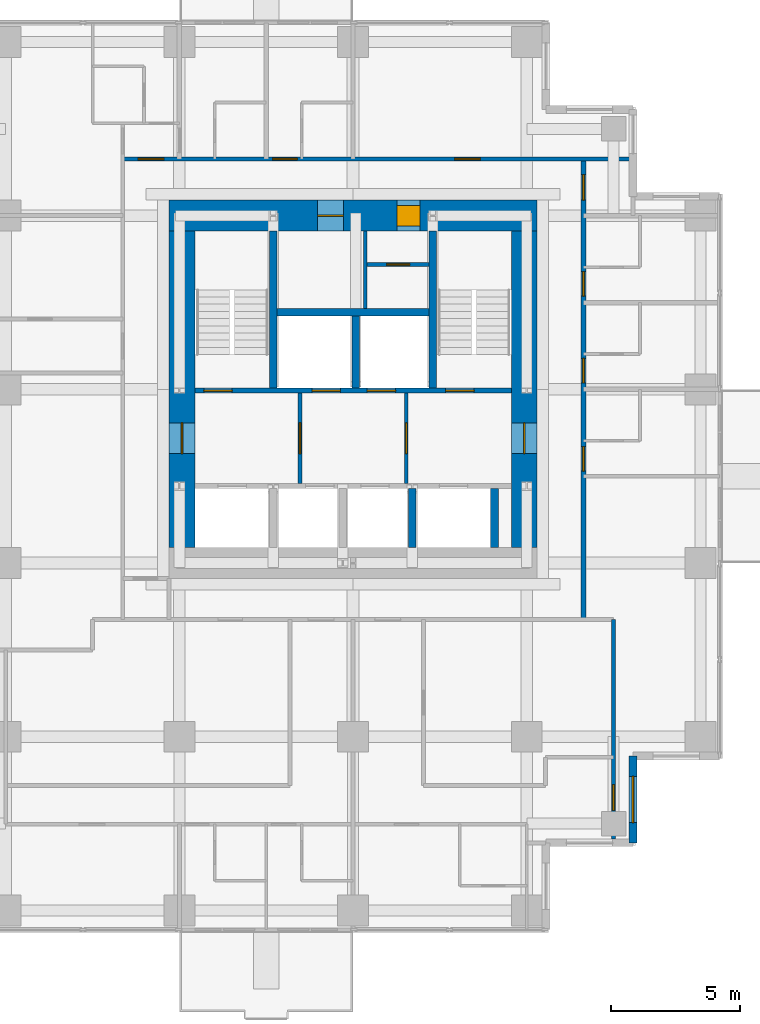
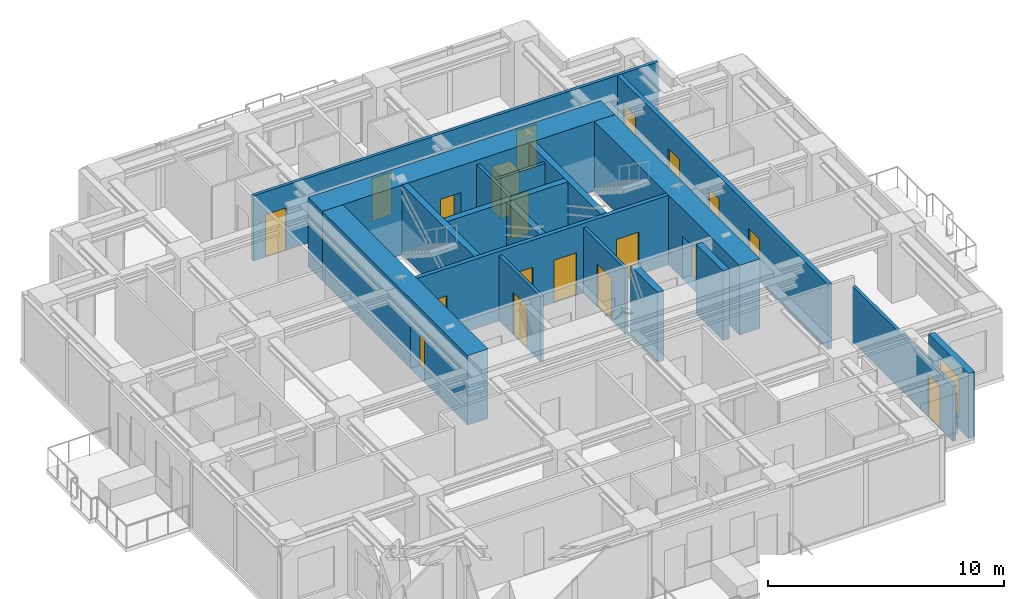
# One storey, part 7 of 10: 19 doors, 18 walls, 1 window, 20 openings.
"""IFC4 building model written with IfcOpenShell, lengths in metres."""

from ifc_helpers import new_model, si_unit, direction, frame, frame_2d, origin, place, context, subcontext, project, spatial, rectangle, extrude, material, layer, layer_set, type_object, element, fill, save


model = new_model("IFC4")

# Units and contexts
model_context = context("Model", 3, precision=1e-05, world=origin(), true_north=direction((0.0, 1.0)))
body_context = subcontext(model_context, "Body", "Model", "MODEL_VIEW")
ifc_project = project(units=[si_unit("LENGTHUNIT", "METRE"), si_unit("AREAUNIT", "SQUARE_METRE"), si_unit("VOLUMEUNIT", "CUBIC_METRE"), si_unit("PLANEANGLEUNIT", "RADIAN"), si_unit("MASSUNIT", "GRAM", prefix="KILO")], contexts=[model_context])

# Site, building, storey
site_placement = place(None, origin())
site = spatial("IfcSite", under=ifc_project, at=site_placement, CompositionType="ELEMENT")
building_placement = place(site_placement, origin())
building = spatial("IfcBuilding", under=site, at=building_placement, Name="Nyansa Garden Tower", CompositionType="ELEMENT")
storey_placement = place(building_placement, frame((0.0, 0.0, 192.60009765625)))
storey = spatial("IfcBuildingStorey", under=building, at=storey_placement, Name="L52", CompositionType="ELEMENT", Elevation=192.60009765625)

# Wall, openings, doors
ifc_material_1 = material(Name="Concrete C70/85", Category="concrete")
ifc_layer_1 = layer(ifc_material_1, 0.199951171875)
ifc_layer_set_1 = layer_set([ifc_layer_1], Name="Core inner wall CI200")
wall_type_1 = type_object("IfcWallType", Name="Core inner wall CI200", PredefinedType="SHEAR", material=ifc_layer_set_1)
wall_1_placement = place(storey_placement, frame((14.10009765625, 20.199951171875, 0.0), z_axis=(0.0, 0.0, 1.0), x_axis=(1.0, 0.0, 0.0)))
wall_1 = element("IfcWall", 1, at=wall_1_placement, inside=storey, type_object=wall_type_1, Name="Core inner wall L52", PredefinedType="SHEAR", context=body_context, shape_type="SweptSolid", body=[
    extrude(rectangle(XDim=12.2998046875, YDim=0.199951171875, at=frame_2d((6.14990234375, 0.0))), origin(), (0.0, 0.0, 1.0), 3.599853515625),
])
opening_1_placement = place(wall_1_placement, frame((4.56005859375, 0.0, 0.0)))
opening_1 = element("IfcOpeningElement", 2, at=opening_1_placement, cuts=wall_1, Name="Opening LD-B", PredefinedType="OPENING", context=body_context, shape_type="SweptSolid", body=[
    extrude(rectangle(XDim=1.10009765625, YDim=2.199951171875, at=frame_2d((0.550048828125, 1.10009765625))), frame((0.0, 0.10986328125, 0.0), z_axis=(0.0, -1.0, 0.0), x_axis=(1.0, 0.0, 0.0)), (0.0, 0.0, 1.0), 0.219970703125),
])
opening_2_placement = place(wall_1_placement, frame((6.699951171875, 0.0, 0.0)))
opening_2 = element("IfcOpeningElement", 3, at=opening_2_placement, cuts=wall_1, Name="Opening LD-B", PredefinedType="OPENING", context=body_context, shape_type="SweptSolid", body=[
    extrude(rectangle(XDim=1.10009765625, YDim=2.199951171875, at=frame_2d((0.550048828125, 1.10009765625))), frame((0.0, 0.10986328125, 0.0), z_axis=(0.0, -1.0, 0.0), x_axis=(1.0, 0.0, 0.0)), (0.0, 0.0, 1.0), 0.219970703125),
])
opening_3_placement = place(wall_1_placement, frame((0.35009765625, 0.0, 0.0)))
opening_3 = element("IfcOpeningElement", 4, at=opening_3_placement, cuts=wall_1, Name="Opening D05", PredefinedType="OPENING", context=body_context, shape_type="SweptSolid", body=[
    extrude(rectangle(XDim=1.10009765625, YDim=2.199951171875, at=frame_2d((0.550048828125, 1.10009765625))), frame((0.0, 0.10986328125, 0.0), z_axis=(0.0, -1.0, 0.0), x_axis=(1.0, 0.0, 0.0)), (0.0, 0.0, 1.0), 0.219970703125),
])
opening_4_placement = place(wall_1_placement, frame((9.75, 0.0, 0.0)))
opening_4 = element("IfcOpeningElement", 5, at=opening_4_placement, cuts=wall_1, Name="Opening D05", PredefinedType="OPENING", context=body_context, shape_type="SweptSolid", body=[
    extrude(rectangle(XDim=1.10009765625, YDim=2.199951171875, at=frame_2d((0.550048828125, 1.10009765625))), frame((0.0, 0.10986328125, 0.0), z_axis=(0.0, -1.0, 0.0), x_axis=(1.0, 0.0, 0.0)), (0.0, 0.0, 1.0), 0.219970703125),
])
ifc_material_2 = material(Name="Stainless steel centre-opening landing door of the high-rise lift, E 120", Category="steel")
door_type_1 = type_object("IfcDoorType", Name="Lift landing door LD-B 1100x2200", OperationType="DOUBLE_DOOR_SLIDING", PredefinedType="DOOR", material=ifc_material_2)
door_1_placement = place(opening_1_placement, origin())
door_1 = element("IfcDoor", 6, at=door_1_placement, inside=storey, type_object=door_type_1, Name="Landing door B3", OperationType="DOUBLE_DOOR_SLIDING", OverallHeight=2.199951171875, OverallWidth=1.10009765625, PredefinedType="DOOR", context=body_context, shape_type="SweptSolid", body=[
    extrude(rectangle(XDim=1.10009765625, YDim=2.199951171875, at=frame_2d((0.550048828125, 1.10009765625))), frame((0.0, 0.02490234375, 0.0), z_axis=(0.0, -1.0, 0.0), x_axis=(1.0, 0.0, 0.0)), (0.0, 0.0, 1.0), 0.050048828125),
])
fill(opening_1, door_1)
door_2_placement = place(opening_2_placement, origin())
door_2 = element("IfcDoor", 7, at=door_2_placement, inside=storey, type_object=door_type_1, Name="Landing door B4", OperationType="DOUBLE_DOOR_SLIDING", OverallHeight=2.199951171875, OverallWidth=1.10009765625, PredefinedType="DOOR", context=body_context, shape_type="SweptSolid", body=[
    extrude(rectangle(XDim=1.10009765625, YDim=2.199951171875, at=frame_2d((0.550048828125, 1.10009765625))), frame((0.0, 0.02490234375, 0.0), z_axis=(0.0, -1.0, 0.0), x_axis=(1.0, 0.0, 0.0)), (0.0, 0.0, 1.0), 0.050048828125),
])
fill(opening_2, door_2)
ifc_material_3 = material(Name="Steel door, 120 minute fire resisting", Category="steel")
door_type_2 = type_object("IfcDoorType", Name="Stair door D05 1100x2200", OperationType="SINGLE_SWING_LEFT", PredefinedType="DOOR", material=ifc_material_3)
door_3_placement = place(opening_3_placement, origin())
door_3 = element("IfcDoor", 8, at=door_3_placement, inside=storey, type_object=door_type_2, Name="Stair S1 door", OperationType="SINGLE_SWING_LEFT", OverallHeight=2.199951171875, OverallWidth=1.10009765625, PredefinedType="DOOR", context=body_context, shape_type="SweptSolid", body=[
    extrude(rectangle(XDim=1.10009765625, YDim=2.199951171875, at=frame_2d((0.550048828125, 1.10009765625))), frame((0.0, 0.02490234375, 0.0), z_axis=(0.0, -1.0, 0.0), x_axis=(1.0, 0.0, 0.0)), (0.0, 0.0, 1.0), 0.050048828125),
])
fill(opening_3, door_3)
door_4_placement = place(opening_4_placement, origin())
door_4 = element("IfcDoor", 9, at=door_4_placement, inside=storey, type_object=door_type_2, Name="Stair S2 door", OperationType="SINGLE_SWING_LEFT", OverallHeight=2.199951171875, OverallWidth=1.10009765625, PredefinedType="DOOR", context=body_context, shape_type="SweptSolid", body=[
    extrude(rectangle(XDim=1.10009765625, YDim=2.199951171875, at=frame_2d((0.550048828125, 1.10009765625))), frame((0.0, 0.02490234375, 0.0), z_axis=(0.0, -1.0, 0.0), x_axis=(1.0, 0.0, 0.0)), (0.0, 0.0, 1.0), 0.050048828125),
])
fill(opening_4, door_4)

# Walls
ifc_material_4 = material(Name="Concrete C70/85", Category="concrete")
ifc_layer_2 = layer(ifc_material_4, 0.300048828125)
ifc_layer_set_2 = layer_set([ifc_layer_2], Name="Core inner wall CI300")
wall_type_2 = type_object("IfcWallType", Name="Core inner wall CI300", PredefinedType="SHEAR", material=ifc_layer_set_2)
for number, where, z_axis, x_axis, name in (
    (10, (17.14990234375, 20.300048828125, 0.0), (0.0, 0.0, 1.0), (0.0, 1.0, 0.0), "Core inner wall L52"),
    (11, (23.35009765625, 20.300048828125, 0.0), (0.0, 0.0, 1.0), (0.0, 1.0, 0.0), "Core inner wall L52"),
):
    element("IfcWall", number, at=place(storey_placement, frame(where, z_axis=z_axis, x_axis=x_axis)), inside=storey, type_object=wall_type_2, Name=name, PredefinedType="SHEAR", context=body_context, shape_type="SweptSolid", body=[
        extrude(rectangle(XDim=6.099853515625, YDim=0.300048828125, at=frame_2d((3.0498046875, 0.0))), origin(), (0.0, 0.0, 1.0), 3.599853515625),
    ])
wall_2_placement = place(storey_placement, frame((20.35009765625, 20.300048828125, 0.0), z_axis=(0.0, 0.0, 1.0), x_axis=(0.0, 1.0, 0.0)))
element("IfcWall", 12, at=wall_2_placement, inside=storey, type_object=wall_type_2, Name="Core inner wall L52", PredefinedType="SHEAR", context=body_context, shape_type="SweptSolid", body=[
    extrude(rectangle(XDim=2.800048828125, YDim=0.300048828125, at=frame_2d((1.39990234375, 0.0))), origin(), (0.0, 0.0, 1.0), 3.599853515625),
])
wall_3_placement = place(storey_placement, frame((17.300048828125, 23.25, 0.0), z_axis=(0.0, 0.0, 1.0), x_axis=(1.0, 0.0, 0.0)))
element("IfcWall", 13, at=wall_3_placement, inside=storey, type_object=wall_type_2, Name="Core inner wall L52", PredefinedType="SHEAR", context=body_context, shape_type="SweptSolid", body=[
    extrude(rectangle(XDim=5.89990234375, YDim=0.300048828125, at=frame_2d((2.949951171875, 0.0))), origin(), (0.0, 0.0, 1.0), 3.599853515625),
])
for number, where, z_axis, x_axis, name in (
    (14, (22.550048828125, 14.10009765625, 0.0), (0.0, 0.0, 1.0), (0.0, 1.0, 0.0), "Core inner wall L52"),
    (15, (25.75, 14.10009765625, 0.0), (0.0, 0.0, 1.0), (0.0, 1.0, 0.0), "Core inner wall L52"),
):
    element("IfcWall", number, at=place(storey_placement, frame(where, z_axis=z_axis, x_axis=x_axis)), inside=storey, type_object=wall_type_2, Name=name, PredefinedType="SHEAR", context=body_context, shape_type="SweptSolid", body=[
        extrude(rectangle(XDim=2.2998046875, YDim=0.300048828125, at=frame_2d((1.14990234375, 0.0))), origin(), (0.0, 0.0, 1.0), 3.599853515625),
    ])

# Wall, opening, door
ifc_material_5 = material(Name="Concrete C80/95", Category="concrete")
ifc_layer_3 = layer(ifc_material_5, 1.0)
ifc_layer_set_3 = layer_set([ifc_layer_3], Name="Core wall CW1000")
wall_type_3 = type_object("IfcWallType", Name="Core wall CW1000", PredefinedType="SHEAR", material=ifc_layer_set_3)
wall_4_placement = place(storey_placement, frame((26.89990234375, 14.10009765625, 0.0), z_axis=(0.0, 0.0, 1.0), x_axis=(0.0, 1.0, 0.0)))
wall_4 = element("IfcWall", 16, at=wall_4_placement, inside=storey, type_object=wall_type_3, Name="Core wall E L52", PredefinedType="SHEAR", context=body_context, shape_type="SweptSolid", body=[
    extrude(rectangle(XDim=12.2998046875, YDim=1.0, at=frame_2d((6.14990234375, 0.0))), origin(), (0.0, 0.0, 1.0), 3.599853515625),
])
opening_5_placement = place(wall_4_placement, frame((3.64990234375, 0.0, 0.0)))
opening_5 = element("IfcOpeningElement", 17, at=opening_5_placement, cuts=wall_4, Name="Opening D06", PredefinedType="OPENING", context=body_context, shape_type="SweptSolid", body=[
    extrude(rectangle(XDim=1.199951171875, YDim=2.199951171875, at=frame_2d((0.60009765625, 1.10009765625))), frame((0.0, 0.510009765625, 0.0), z_axis=(0.0, -1.0, 0.0), x_axis=(1.0, 0.0, 0.0)), (0.0, 0.0, 1.0), 1.02001953125),
])
ifc_material_6 = material(Name="Steel door, 120 minute fire resisting", Category="steel")
door_type_3 = type_object("IfcDoorType", Name="Lobby door D06 1200x2200", OperationType="DOUBLE_DOOR_SINGLE_SWING", PredefinedType="DOOR", material=ifc_material_6)
door_5_placement = place(opening_5_placement, origin())
door_5 = element("IfcDoor", 18, at=door_5_placement, inside=storey, type_object=door_type_3, Name="Lift lobby door east", OperationType="DOUBLE_DOOR_SINGLE_SWING", OverallHeight=2.199951171875, OverallWidth=1.199951171875, PredefinedType="DOOR", context=body_context, shape_type="SweptSolid", body=[
    extrude(rectangle(XDim=1.199951171875, YDim=2.199951171875, at=frame_2d((0.60009765625, 1.10009765625))), frame((0.0, 0.02490234375, 0.0), z_axis=(0.0, -1.0, 0.0), x_axis=(1.0, 0.0, 0.0)), (0.0, 0.0, 1.0), 0.050048828125),
])
fill(opening_5, door_5)

wall_5_placement = place(storey_placement, frame((13.60009765625, 26.39990234375, 0.0), z_axis=(0.0, 0.0, 1.0), x_axis=(0.0, -1.0, 0.0)))
wall_5 = element("IfcWall", 19, at=wall_5_placement, inside=storey, type_object=wall_type_3, Name="Core wall W L52", PredefinedType="SHEAR", context=body_context, shape_type="SweptSolid", body=[
    extrude(rectangle(XDim=12.2998046875, YDim=1.0, at=frame_2d((6.14990234375, 0.0))), origin(), (0.0, 0.0, 1.0), 3.599853515625),
])
opening_6_placement = place(wall_5_placement, frame((7.449951171875, 0.0, 0.0)))
opening_6 = element("IfcOpeningElement", 20, at=opening_6_placement, cuts=wall_5, Name="Opening D06", PredefinedType="OPENING", context=body_context, shape_type="SweptSolid", body=[
    extrude(rectangle(XDim=1.199951171875, YDim=2.199951171875, at=frame_2d((0.60009765625, 1.10009765625))), frame((0.0, 0.510009765625, 0.0), z_axis=(0.0, -1.0, 0.0), x_axis=(1.0, 0.0, 0.0)), (0.0, 0.0, 1.0), 1.02001953125),
])
door_6_placement = place(opening_6_placement, origin())
door_6 = element("IfcDoor", 21, at=door_6_placement, inside=storey, type_object=door_type_3, Name="Lift lobby door west", OperationType="DOUBLE_DOOR_SINGLE_SWING", OverallHeight=2.199951171875, OverallWidth=1.199951171875, PredefinedType="DOOR", context=body_context, shape_type="SweptSolid", body=[
    extrude(rectangle(XDim=1.199951171875, YDim=2.199951171875, at=frame_2d((0.60009765625, 1.10009765625))), frame((0.0, 0.02490234375, 0.0), z_axis=(0.0, -1.0, 0.0), x_axis=(1.0, 0.0, 0.0)), (0.0, 0.0, 1.0), 0.050048828125),
])
fill(opening_6, door_6)

# Wall, openings, doors
ifc_material_7 = material(Name="Concrete C80/95", Category="concrete")
ifc_layer_4 = layer(ifc_material_7, 1.199951171875)
ifc_layer_set_4 = layer_set([ifc_layer_4], Name="Core wall CW1200")
wall_type_4 = type_object("IfcWallType", Name="Core wall CW1200", PredefinedType="SHEAR", material=ifc_layer_set_4)
wall_6_placement = place(storey_placement, frame((27.39990234375, 27.0, 0.0), z_axis=(0.0, 0.0, 1.0), x_axis=(-1.0, 0.0, 0.0)))
wall_6 = element("IfcWall", 22, at=wall_6_placement, inside=storey, type_object=wall_type_4, Name="Core wall N L52", PredefinedType="SHEAR", context=body_context, shape_type="SweptSolid", body=[
    extrude(rectangle(XDim=14.2998046875, YDim=1.199951171875, at=frame_2d((7.14990234375, 0.0))), origin(), (0.0, 0.0, 1.0), 3.599853515625),
])
opening_7_placement = place(wall_6_placement, frame((4.550048828125, 0.0, 0.0)))
opening_7 = element("IfcOpeningElement", 23, at=opening_7_placement, cuts=wall_6, Name="Opening D15", PredefinedType="OPENING", context=body_context, shape_type="SweptSolid", body=[
    extrude(rectangle(XDim=0.89990234375, YDim=2.199951171875, at=frame_2d((0.449951171875, 1.10009765625))), frame((0.0, 0.60986328125, 0.0), z_axis=(0.0, -1.0, 0.0), x_axis=(1.0, 0.0, 0.0)), (0.0, 0.0, 1.0), 1.219970703125),
])
opening_8_placement = place(wall_6_placement, frame((7.52490234375, 0.0, 0.0)))
opening_8 = element("IfcOpeningElement", 24, at=opening_8_placement, cuts=wall_6, Name="Opening D07", PredefinedType="OPENING", context=body_context, shape_type="SweptSolid", body=[
    extrude(rectangle(XDim=1.0, YDim=2.199951171875, at=frame_2d((0.5, 1.10009765625))), frame((0.0, 0.60986328125, 0.0), z_axis=(0.0, -1.0, 0.0), x_axis=(1.0, 0.0, 0.0)), (0.0, 0.0, 1.0), 1.219970703125),
])
ifc_material_8 = material(Name="Timber flush door, 60 minute fire resisting, self-closing", Category="wood")
door_type_4 = type_object("IfcDoorType", Name="Core room door D15 900x2200", OperationType="SINGLE_SWING_LEFT", PredefinedType="DOOR", material=ifc_material_8)
door_7_placement = place(opening_7_placement, origin())
door_7 = element("IfcDoor", 25, at=door_7_placement, inside=storey, type_object=door_type_4, Name="Core room door", OperationType="SINGLE_SWING_LEFT", OverallHeight=2.199951171875, OverallWidth=0.89990234375, PredefinedType="DOOR", context=body_context, shape_type="SweptSolid", body=[
    extrude(rectangle(XDim=0.89990234375, YDim=2.199951171875, at=frame_2d((0.449951171875, 1.10009765625))), frame((0.0, 0.39990234375, 0.0), z_axis=(0.0, -1.0, 0.0), x_axis=(1.0, 0.0, 0.0)), (0.0, 0.0, 1.0), 0.800048828125),
])
fill(opening_7, door_7)
ifc_material_9 = material(Name="Steel door, 120 minute fire resisting", Category="steel")
door_type_5 = type_object("IfcDoorType", Name="Riser door D07 1000x2200", OperationType="SINGLE_SWING_LEFT", PredefinedType="DOOR", material=ifc_material_9)
door_8_placement = place(opening_8_placement, origin())
door_8 = element("IfcDoor", 26, at=door_8_placement, inside=storey, type_object=door_type_5, Name="Riser and refuse room door", OperationType="SINGLE_SWING_LEFT", OverallHeight=2.199951171875, OverallWidth=1.0, PredefinedType="DOOR", context=body_context, shape_type="SweptSolid", body=[
    extrude(rectangle(XDim=1.0, YDim=2.199951171875, at=frame_2d((0.5, 1.10009765625))), frame((0.0, 0.02490234375, 0.0), z_axis=(0.0, -1.0, 0.0), x_axis=(1.0, 0.0, 0.0)), (0.0, 0.0, 1.0), 0.050048828125),
])
fill(opening_8, door_8)

ifc_material_10 = material(Name="Concrete blockwork, plastered, 60 minute fire resisting", Category="masonry")
ifc_layer_5 = layer(ifc_material_10, 0.199951171875)
ifc_layer_set_5 = layer_set([ifc_layer_5], Name="Corridor wall FW200")
wall_type_5 = type_object("IfcWallType", Name="Corridor wall FW200", PredefinedType="PARTITIONING", material=ifc_layer_set_5)
wall_7_placement = place(storey_placement, frame((29.199951171875, 11.300048828125, 0.0), z_axis=(0.0, 0.0, 1.0), x_axis=(0.0, 1.0, 0.0)))
wall_7 = element("IfcWall", 27, at=wall_7_placement, inside=storey, type_object=wall_type_5, Name="Corridor wall", PredefinedType="PARTITIONING", context=body_context, shape_type="SweptSolid", body=[
    extrude(rectangle(XDim=17.89990234375, YDim=0.199951171875, at=frame_2d((8.949951171875, 0.0))), origin(), (0.0, 0.0, 1.0), 3.375),
])
opening_9_placement = place(wall_7_placement, frame((5.77490234375, 0.0, 0.0)))
opening_9 = element("IfcOpeningElement", 28, at=opening_9_placement, cuts=wall_7, Name="Opening D14", PredefinedType="OPENING", context=body_context, shape_type="SweptSolid", body=[
    extrude(rectangle(XDim=0.949951171875, YDim=2.199951171875, at=frame_2d((0.47509765625, 1.10009765625))), frame((0.0, 0.10986328125, 0.0), z_axis=(0.0, -1.0, 0.0), x_axis=(1.0, 0.0, 0.0)), (0.0, 0.0, 1.0), 0.219970703125),
])
opening_10_placement = place(wall_7_placement, frame((9.199951171875, 0.0, 0.0)))
opening_10 = element("IfcOpeningElement", 29, at=opening_10_placement, cuts=wall_7, Name="Opening D14", PredefinedType="OPENING", context=body_context, shape_type="SweptSolid", body=[
    extrude(rectangle(XDim=0.949951171875, YDim=2.199951171875, at=frame_2d((0.47509765625, 1.10009765625))), frame((0.0, 0.10986328125, 0.0), z_axis=(0.0, -1.0, 0.0), x_axis=(1.0, 0.0, 0.0)), (0.0, 0.0, 1.0), 0.219970703125),
])
opening_11_placement = place(wall_7_placement, frame((12.574951171875, 0.0, 0.0)))
opening_11 = element("IfcOpeningElement", 30, at=opening_11_placement, cuts=wall_7, Name="Opening D14", PredefinedType="OPENING", context=body_context, shape_type="SweptSolid", body=[
    extrude(rectangle(XDim=0.949951171875, YDim=2.199951171875, at=frame_2d((0.47509765625, 1.10009765625))), frame((0.0, 0.10986328125, 0.0), z_axis=(0.0, -1.0, 0.0), x_axis=(1.0, 0.0, 0.0)), (0.0, 0.0, 1.0), 0.219970703125),
])
opening_12_placement = place(wall_7_placement, frame((16.300048828125, 0.0, 0.0)))
opening_12 = element("IfcOpeningElement", 31, at=opening_12_placement, cuts=wall_7, Name="Opening D03", PredefinedType="OPENING", context=body_context, shape_type="SweptSolid", body=[
    extrude(rectangle(XDim=1.0, YDim=2.199951171875, at=frame_2d((0.5, 1.10009765625))), frame((0.0, 0.10986328125, 0.0), z_axis=(0.0, -1.0, 0.0), x_axis=(1.0, 0.0, 0.0)), (0.0, 0.0, 1.0), 0.219970703125),
])
ifc_material_11 = material(Name="Timber flush door, 60 minute fire resisting", Category="wood")
door_type_6 = type_object("IfcDoorType", Name="Cluster entrance door D03 1000x2200", OperationType="SINGLE_SWING_LEFT", PredefinedType="DOOR", material=ifc_material_11)
door_9_placement = place(opening_12_placement, origin())
door_9 = element("IfcDoor", 32, at=door_9_placement, inside=storey, type_object=door_type_6, Name="Door L52-036", OperationType="SINGLE_SWING_LEFT", OverallHeight=2.199951171875, OverallWidth=1.0, PredefinedType="DOOR", context=body_context, shape_type="SweptSolid", body=[
    extrude(rectangle(XDim=1.0, YDim=2.199951171875, at=frame_2d((0.5, 1.10009765625))), frame((0.0, 0.02490234375, 0.0), z_axis=(0.0, -1.0, 0.0), x_axis=(1.0, 0.0, 0.0)), (0.0, 0.0, 1.0), 0.050048828125),
])
fill(opening_12, door_9)
ifc_material_12 = material(Name="Timber flush door, 60 minute fire resisting, self-closing", Category="wood")
door_type_7 = type_object("IfcDoorType", Name="Studio entrance door D14 950x2200", OperationType="SINGLE_SWING_LEFT", PredefinedType="DOOR", material=ifc_material_12)
door_10_placement = place(opening_9_placement, origin())
door_10 = element("IfcDoor", 33, at=door_10_placement, inside=storey, type_object=door_type_7, Name="Door L52-030", OperationType="SINGLE_SWING_LEFT", OverallHeight=2.199951171875, OverallWidth=0.949951171875, PredefinedType="DOOR", context=body_context, shape_type="SweptSolid", body=[
    extrude(rectangle(XDim=0.949951171875, YDim=2.199951171875, at=frame_2d((0.47509765625, 1.10009765625))), frame((0.0, 0.02490234375, 0.0), z_axis=(0.0, -1.0, 0.0), x_axis=(1.0, 0.0, 0.0)), (0.0, 0.0, 1.0), 0.050048828125),
])
fill(opening_9, door_10)
door_11_placement = place(opening_10_placement, origin())
door_11 = element("IfcDoor", 34, at=door_11_placement, inside=storey, type_object=door_type_7, Name="Door L52-032", OperationType="SINGLE_SWING_LEFT", OverallHeight=2.199951171875, OverallWidth=0.949951171875, PredefinedType="DOOR", context=body_context, shape_type="SweptSolid", body=[
    extrude(rectangle(XDim=0.949951171875, YDim=2.199951171875, at=frame_2d((0.47509765625, 1.10009765625))), frame((0.0, 0.02490234375, 0.0), z_axis=(0.0, -1.0, 0.0), x_axis=(1.0, 0.0, 0.0)), (0.0, 0.0, 1.0), 0.050048828125),
])
fill(opening_10, door_11)
door_12_placement = place(opening_11_placement, origin())
door_12 = element("IfcDoor", 35, at=door_12_placement, inside=storey, type_object=door_type_7, Name="Door L52-034", OperationType="SINGLE_SWING_LEFT", OverallHeight=2.199951171875, OverallWidth=0.949951171875, PredefinedType="DOOR", context=body_context, shape_type="SweptSolid", body=[
    extrude(rectangle(XDim=0.949951171875, YDim=2.199951171875, at=frame_2d((0.47509765625, 1.10009765625))), frame((0.0, 0.02490234375, 0.0), z_axis=(0.0, -1.0, 0.0), x_axis=(1.0, 0.0, 0.0)), (0.0, 0.0, 1.0), 0.050048828125),
])
fill(opening_11, door_12)

# Wall, opening, door
ifc_material_13 = material(Name="Blockwork, plastered both sides", Category="masonry")
ifc_layer_6 = layer(ifc_material_13, 0.14990234375)
ifc_layer_set_6 = layer_set([ifc_layer_6], Name="Partition PW150")
wall_type_6 = type_object("IfcWallType", Name="Partition PW150", PredefinedType="PARTITIONING", material=ifc_layer_set_6)
wall_8_placement = place(storey_placement, frame((18.18505859375, 16.60009765625, 0.0), z_axis=(0.0, 0.0, 1.0), x_axis=(0.0, 1.0, 0.0)))
wall_8 = element("IfcWall", 36, at=wall_8_placement, inside=storey, type_object=wall_type_6, Name="Partition", PredefinedType="PARTITIONING", context=body_context, shape_type="SweptSolid", body=[
    extrude(rectangle(XDim=3.5, YDim=0.14990234375, at=frame_2d((1.75, 0.0))), origin(), (0.0, 0.0, 1.0), 3.375),
])
opening_13_placement = place(wall_8_placement, frame((1.14990234375, 0.0, 0.0)))
opening_13 = element("IfcOpeningElement", 37, at=opening_13_placement, cuts=wall_8, Name="Opening D06", PredefinedType="OPENING", context=body_context, shape_type="SweptSolid", body=[
    extrude(rectangle(XDim=1.199951171875, YDim=2.199951171875, at=frame_2d((0.60009765625, 1.10009765625))), frame((0.0, 0.0849609375, 0.0), z_axis=(0.0, -1.0, 0.0), x_axis=(1.0, 0.0, 0.0)), (0.0, 0.0, 1.0), 0.169921875),
])
door_13_placement = place(opening_13_placement, origin())
door_13 = element("IfcDoor", 38, at=door_13_placement, inside=storey, type_object=door_type_3, Name="Passenger lift lobby door", OperationType="DOUBLE_DOOR_SINGLE_SWING", OverallHeight=2.199951171875, OverallWidth=1.199951171875, PredefinedType="DOOR", context=body_context, shape_type="SweptSolid", body=[
    extrude(rectangle(XDim=1.199951171875, YDim=2.199951171875, at=frame_2d((0.60009765625, 1.10009765625))), frame((0.0, 0.02490234375, 0.0), z_axis=(0.0, -1.0, 0.0), x_axis=(1.0, 0.0, 0.0)), (0.0, 0.0, 1.0), 0.050048828125),
])
fill(opening_13, door_13)

wall_9_placement = place(storey_placement, frame((22.31494140625, 16.60009765625, 0.0), z_axis=(0.0, 0.0, 1.0), x_axis=(0.0, 1.0, 0.0)))
wall_9 = element("IfcWall", 39, at=wall_9_placement, inside=storey, type_object=wall_type_6, Name="Partition", PredefinedType="PARTITIONING", context=body_context, shape_type="SweptSolid", body=[
    extrude(rectangle(XDim=3.5, YDim=0.14990234375, at=frame_2d((1.75, 0.0))), origin(), (0.0, 0.0, 1.0), 3.375),
])
opening_14_placement = place(wall_9_placement, frame((1.14990234375, 0.0, 0.0)))
opening_14 = element("IfcOpeningElement", 40, at=opening_14_placement, cuts=wall_9, Name="Opening D06", PredefinedType="OPENING", context=body_context, shape_type="SweptSolid", body=[
    extrude(rectangle(XDim=1.199951171875, YDim=2.199951171875, at=frame_2d((0.60009765625, 1.10009765625))), frame((0.0, 0.0849609375, 0.0), z_axis=(0.0, -1.0, 0.0), x_axis=(1.0, 0.0, 0.0)), (0.0, 0.0, 1.0), 0.169921875),
])
door_14_placement = place(opening_14_placement, origin())
door_14 = element("IfcDoor", 41, at=door_14_placement, inside=storey, type_object=door_type_3, Name="Passenger lift lobby door", OperationType="DOUBLE_DOOR_SINGLE_SWING", OverallHeight=2.199951171875, OverallWidth=1.199951171875, PredefinedType="DOOR", context=body_context, shape_type="SweptSolid", body=[
    extrude(rectangle(XDim=1.199951171875, YDim=2.199951171875, at=frame_2d((0.60009765625, 1.10009765625))), frame((0.0, 0.02490234375, 0.0), z_axis=(0.0, -1.0, 0.0), x_axis=(1.0, 0.0, 0.0)), (0.0, 0.0, 1.0), 0.050048828125),
])
fill(opening_14, door_14)

# Wall
wall_10_placement = place(storey_placement, frame((20.72509765625, 23.39990234375, 0.0), z_axis=(0.0, 0.0, 1.0), x_axis=(0.0, 1.0, 0.0)))
element("IfcWall", 42, at=wall_10_placement, inside=storey, type_object=wall_type_6, Name="Partition", PredefinedType="PARTITIONING", context=body_context, shape_type="SweptSolid", body=[
    extrude(rectangle(XDim=3.0, YDim=0.14990234375, at=frame_2d((1.5, 0.0))), origin(), (0.0, 0.0, 1.0), 3.375),
])

# Wall, opening, door
wall_11_placement = place(storey_placement, frame((20.800048828125, 25.10009765625, 0.0), z_axis=(0.0, 0.0, 1.0), x_axis=(1.0, 0.0, 0.0)))
wall_11 = element("IfcWall", 43, at=wall_11_placement, inside=storey, type_object=wall_type_6, Name="Partition", PredefinedType="PARTITIONING", context=body_context, shape_type="SweptSolid", body=[
    extrude(rectangle(XDim=2.39990234375, YDim=0.14990234375, at=frame_2d((1.199951171875, 0.0))), origin(), (0.0, 0.0, 1.0), 3.375),
])
opening_15_placement = place(wall_11_placement, frame((0.75, 0.0, 0.0)))
opening_15 = element("IfcOpeningElement", 44, at=opening_15_placement, cuts=wall_11, Name="Opening D02", PredefinedType="OPENING", context=body_context, shape_type="SweptSolid", body=[
    extrude(rectangle(XDim=0.89990234375, YDim=2.199951171875, at=frame_2d((0.449951171875, 1.10009765625))), frame((0.0, 0.0849609375, 0.0), z_axis=(0.0, -1.0, 0.0), x_axis=(1.0, 0.0, 0.0)), (0.0, 0.0, 1.0), 0.169921875),
])
ifc_material_14 = material(Name="Timber flush door", Category="wood")
door_type_8 = type_object("IfcDoorType", Name="En-suite door D02 900x2200", OperationType="SINGLE_SWING_RIGHT", PredefinedType="DOOR", material=ifc_material_14)
door_15_placement = place(opening_15_placement, origin())
door_15 = element("IfcDoor", 45, at=door_15_placement, inside=storey, type_object=door_type_8, Name="Staff WC door", OperationType="SINGLE_SWING_RIGHT", OverallHeight=2.199951171875, OverallWidth=0.89990234375, PredefinedType="DOOR", context=body_context, shape_type="SweptSolid", body=[
    extrude(rectangle(XDim=0.89990234375, YDim=2.199951171875, at=frame_2d((0.449951171875, 1.10009765625))), frame((0.0, 0.02490234375, 0.0), z_axis=(0.0, -1.0, 0.0), x_axis=(1.0, 0.0, 0.0)), (0.0, 0.0, 1.0), 0.050048828125),
])
fill(opening_15, door_15)

# Wall, openings, doors
wall_12_placement = place(storey_placement, frame((11.300048828125, 29.199951171875, 0.0), z_axis=(0.0, 0.0, 1.0), x_axis=(1.0, 0.0, 0.0)))
wall_12 = element("IfcWall", 46, at=wall_12_placement, inside=storey, type_object=wall_type_6, Name="Partition", PredefinedType="PARTITIONING", context=body_context, shape_type="SweptSolid", body=[
    extrude(rectangle(XDim=19.808837890625, YDim=0.14990234375, at=frame_2d((9.904296875, 0.0))), origin(), (0.0, 0.0, 1.0), 3.375),
])
opening_16_placement = place(wall_12_placement, frame((12.89990234375, 0.0, 0.0)))
opening_16 = element("IfcOpeningElement", 47, at=opening_16_placement, cuts=wall_12, Name="Opening D03", PredefinedType="OPENING", context=body_context, shape_type="SweptSolid", body=[
    extrude(rectangle(XDim=1.0, YDim=2.199951171875, at=frame_2d((0.5, 1.10009765625))), frame((0.0, 0.0849609375, 0.0), z_axis=(0.0, -1.0, 0.0), x_axis=(1.0, 0.0, 0.0)), (0.0, 0.0, 1.0), 0.169921875),
])
opening_17_placement = place(wall_12_placement, frame((5.824951171875, 0.0, 0.0)))
opening_17 = element("IfcOpeningElement", 48, at=opening_17_placement, cuts=wall_12, Name="Opening D14", PredefinedType="OPENING", context=body_context, shape_type="SweptSolid", body=[
    extrude(rectangle(XDim=0.949951171875, YDim=2.199951171875, at=frame_2d((0.47509765625, 1.10009765625))), frame((0.0, 0.0849609375, 0.0), z_axis=(0.0, -1.0, 0.0), x_axis=(1.0, 0.0, 0.0)), (0.0, 0.0, 1.0), 0.169921875),
])
opening_18_placement = place(wall_12_placement, frame((0.60009765625, 0.0, 0.0)))
opening_18 = element("IfcOpeningElement", 49, at=opening_18_placement, cuts=wall_12, Name="Opening D03", PredefinedType="OPENING", context=body_context, shape_type="SweptSolid", body=[
    extrude(rectangle(XDim=1.0, YDim=2.199951171875, at=frame_2d((0.5, 1.10009765625))), frame((0.0, 0.0849609375, 0.0), z_axis=(0.0, -1.0, 0.0), x_axis=(1.0, 0.0, 0.0)), (0.0, 0.0, 1.0), 0.169921875),
])
door_16_placement = place(opening_16_placement, origin())
door_16 = element("IfcDoor", 50, at=door_16_placement, inside=storey, type_object=door_type_6, Name="Door L52-037", OperationType="SINGLE_SWING_LEFT", OverallHeight=2.199951171875, OverallWidth=1.0, PredefinedType="DOOR", context=body_context, shape_type="SweptSolid", body=[
    extrude(rectangle(XDim=1.0, YDim=2.199951171875, at=frame_2d((0.5, 1.10009765625))), frame((0.0, 0.02490234375, 0.0), z_axis=(0.0, -1.0, 0.0), x_axis=(1.0, 0.0, 0.0)), (0.0, 0.0, 1.0), 0.050048828125),
])
fill(opening_16, door_16)
door_17_placement = place(opening_18_placement, origin())
door_17 = element("IfcDoor", 51, at=door_17_placement, inside=storey, type_object=door_type_6, Name="Door L52-044", OperationType="SINGLE_SWING_LEFT", OverallHeight=2.199951171875, OverallWidth=1.0, PredefinedType="DOOR", context=body_context, shape_type="SweptSolid", body=[
    extrude(rectangle(XDim=1.0, YDim=2.199951171875, at=frame_2d((0.5, 1.10009765625))), frame((0.0, 0.02490234375, 0.0), z_axis=(0.0, -1.0, 0.0), x_axis=(1.0, 0.0, 0.0)), (0.0, 0.0, 1.0), 0.050048828125),
])
fill(opening_18, door_17)
door_18_placement = place(opening_17_placement, origin())
door_18 = element("IfcDoor", 52, at=door_18_placement, inside=storey, type_object=door_type_7, Name="Door L52-042", OperationType="SINGLE_SWING_LEFT", OverallHeight=2.199951171875, OverallWidth=0.949951171875, PredefinedType="DOOR", context=body_context, shape_type="SweptSolid", body=[
    extrude(rectangle(XDim=0.949951171875, YDim=2.199951171875, at=frame_2d((0.47509765625, 1.10009765625))), frame((0.0, 0.02490234375, 0.0), z_axis=(0.0, -1.0, 0.0), x_axis=(1.0, 0.0, 0.0)), (0.0, 0.0, 1.0), 0.050048828125),
])
fill(opening_17, door_18)

# Wall, opening, door
wall_13_placement = place(storey_placement, frame((30.375, 2.77490234375, 0.0), z_axis=(0.0, 0.0, 1.0), x_axis=(0.0, 1.0, 0.0)))
wall_13 = element("IfcWall", 53, at=wall_13_placement, inside=storey, type_object=wall_type_6, Name="Partition", PredefinedType="PARTITIONING", context=body_context, shape_type="SweptSolid", body=[
    extrude(rectangle(XDim=8.525146484375, YDim=0.14990234375, at=frame_2d((4.2626953125, 0.0))), origin(), (0.0, 0.0, 1.0), 2.876953125),
])
opening_19_placement = place(wall_13_placement, frame((1.115966796875, 0.0, 0.0)))
opening_19 = element("IfcOpeningElement", 54, at=opening_19_placement, cuts=wall_13, Name="Opening D03", PredefinedType="OPENING", context=body_context, shape_type="SweptSolid", body=[
    extrude(rectangle(XDim=1.0, YDim=2.199951171875, at=frame_2d((0.5, 1.10009765625))), frame((0.0, 0.0849609375, 0.0), z_axis=(0.0, -1.0, 0.0), x_axis=(1.0, 0.0, 0.0)), (0.0, 0.0, 1.0), 0.169921875),
])
door_19_placement = place(opening_19_placement, origin())
door_19 = element("IfcDoor", 55, at=door_19_placement, inside=storey, type_object=door_type_6, Name="Door L52-029", OperationType="SINGLE_SWING_LEFT", OverallHeight=2.199951171875, OverallWidth=1.0, PredefinedType="DOOR", context=body_context, shape_type="SweptSolid", body=[
    extrude(rectangle(XDim=1.0, YDim=2.199951171875, at=frame_2d((0.5, 1.10009765625))), frame((0.0, 0.02490234375, 0.0), z_axis=(0.0, -1.0, 0.0), x_axis=(1.0, 0.0, 0.0)), (0.0, 0.0, 1.0), 0.050048828125),
])
fill(opening_19, door_19)

# Wall, opening, window
ifc_material_15 = material(Name="Turquoise glazed tile on concrete blockwork", Category="masonry")
ifc_layer_7 = layer(ifc_material_15, 0.300048828125)
ifc_layer_set_7 = layer_set([ifc_layer_7], Name="Tiled corner wall TW300")
wall_type_7 = type_object("IfcWallType", Name="Tiled corner wall TW300", PredefinedType="SOLIDWALL", material=ifc_layer_set_7)
wall_14_placement = place(storey_placement, frame((31.125, 2.625, 0.0), z_axis=(0.0, 0.0, 1.0), x_axis=(0.0, 1.0, 0.0)))
wall_14 = element("IfcWall", 56, at=wall_14_placement, inside=storey, type_object=wall_type_7, Name="Tiled corner wall L52", PredefinedType="SOLIDWALL", context=body_context, shape_type="SweptSolid", body=[
    extrude(rectangle(XDim=3.375, YDim=0.300048828125, at=frame_2d((1.6875, 0.0))), origin(), (0.0, 0.0, 1.0), 3.375),
])
opening_20_placement = place(wall_14_placement, frame((0.78759765625, 0.0, 0.60009765625)))
opening_20 = element("IfcOpeningElement", 57, at=opening_20_placement, cuts=wall_14, Name="Opening W2", PredefinedType="OPENING", context=body_context, shape_type="SweptSolid", body=[
    extrude(rectangle(XDim=1.800048828125, YDim=2.10009765625, at=frame_2d((0.89990234375, 1.050048828125))), frame((0.0, 0.159912109375, 0.0), z_axis=(0.0, -1.0, 0.0), x_axis=(1.0, 0.0, 0.0)), (0.0, 0.0, 1.0), 0.320068359375),
])
ifc_material_16 = material(Name="Black aluminium frame, dark tinted double glazing", Category="aluminium")
window_type = type_object("IfcWindowType", Name="Window W2 1800x2100", PartitioningType="SINGLE_PANEL", PredefinedType="WINDOW", material=ifc_material_16)
window_placement = place(opening_20_placement, origin())
window = element("IfcWindow", 58, at=window_placement, inside=storey, type_object=window_type, Name="Corner window L52", OverallHeight=2.10009765625, OverallWidth=1.800048828125, PartitioningType="SINGLE_PANEL", PredefinedType="WINDOW", context=body_context, shape_type="SweptSolid", body=[
    extrude(rectangle(XDim=1.800048828125, YDim=2.10009765625, at=frame_2d((0.89990234375, 1.050048828125))), frame((0.0, 0.030029296875, 0.0), z_axis=(0.0, -1.0, 0.0), x_axis=(1.0, 0.0, 0.0)), (0.0, 0.0, 1.0), 0.06005859375),
])
fill(opening_20, window)

save(model, "model.ifc")
